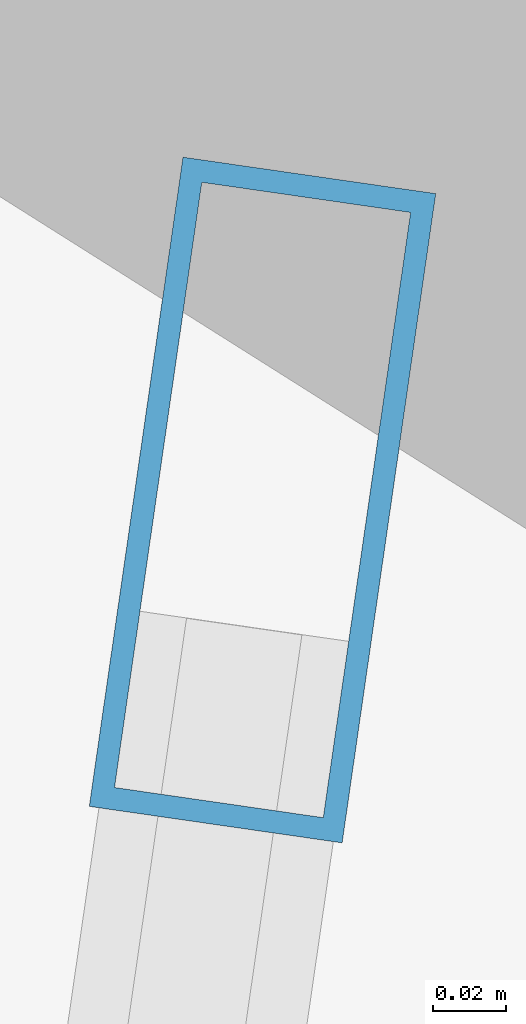
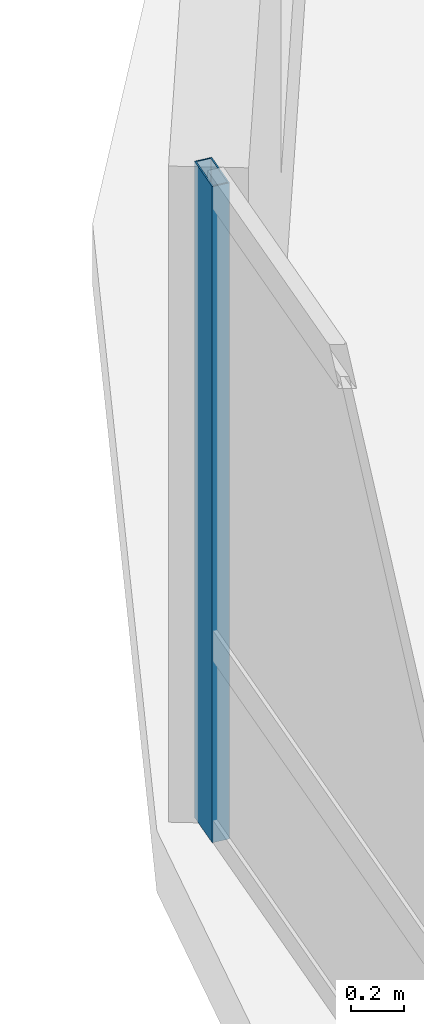
# One storey, part 6 of 16: 1 member, 1 element without a shape of its own.
"""IFC4 building model written with IfcOpenShell, lengths in metres."""

from ifc_helpers import new_model, si_unit, direction, frame, origin, origin_2d, place, context, subcontext, project, spatial, hollow_rectangle, extrude, material, layer, layer_set, material_profile, profile_set, type_object, element, aggregate, save


model = new_model("IFC4")

# Units and contexts
model_context = context("Model", 3, precision=1e-05, world=origin(), true_north=direction((0.0, 1.0)))
body_context = subcontext(model_context, "Body", "Model", "MODEL_VIEW")
ifc_project = project(units=[si_unit("LENGTHUNIT", "METRE"), si_unit("AREAUNIT", "SQUARE_METRE"), si_unit("VOLUMEUNIT", "CUBIC_METRE"), si_unit("PLANEANGLEUNIT", "RADIAN"), si_unit("MASSUNIT", "GRAM", prefix="KILO"), si_unit("THERMODYNAMICTEMPERATUREUNIT", "KELVIN"), si_unit("POWERUNIT", "WATT")], contexts=[model_context])

# Site, building, storey
site_placement = place(None, origin())
site = spatial("IfcSite", under=ifc_project, at=site_placement, CompositionType="ELEMENT")
building_placement = place(site_placement, origin())
building = spatial("IfcBuilding", under=site, at=building_placement, Name="Ocrelia Relay Tower", CompositionType="ELEMENT")
storey_placement = place(building_placement, frame((0.0, 0.0, 51.0)))
storey = spatial("IfcBuildingStorey", under=building, at=storey_placement, Name="L11", CompositionType="ELEMENT", Elevation=51.0)

# Curtain wall, member
ifc_material_1 = material(Name="Aluminium and solar-control low-E glass", Category="aluminium")
ifc_layer = layer(ifc_material_1, 0.179931640625, Name="Aluminium and solar-control low-E glass")
ifc_layer_set = layer_set([ifc_layer], Name="Aluminium and solar-control low-E glass")
curtain_wall_type = type_object("IfcCurtainWallType", Name="CW-SYS-Z1-DATA", PredefinedType="NOTDEFINED", material=ifc_layer_set)
curtain_wall_placement = place(storey_placement, origin())
curtain_wall = element("IfcCurtainWall", 1, at=curtain_wall_placement, inside=storey, type_object=curtain_wall_type, Name="L11 Elliptical Tower Curtain Wall Bay 09", PredefinedType="NOTDEFINED")
ifc_material_2 = material(Name="Anodised bronze aluminium", Category="aluminium")
ifc_material_profile = material_profile(ifc_material_2, hollow_rectangle(XDim=0.070068359375, YDim=0.179931640625, WallThickness=0.006103515625, at=origin_2d()), Name="CW-MUL-180x70")
ifc_profile_set = profile_set([ifc_material_profile], Name="Anodised bronze aluminium")
member_type = type_object("IfcMemberType", Name="CW-SYS-Z1-DATA-MUL", PredefinedType="MULLION", material=ifc_profile_set)
member_placement = place(storey_placement, frame((7.35791015625, 31.062255859375, 0.0), z_axis=(0.0, 0.0, 1.0), x_axis=(0.989751624474, -0.14279958631, 0.0)))
member = element("IfcMember", 2, at=member_placement, type_object=member_type, Name="CW-Z1 mullion 1", PredefinedType="MULLION", context=body_context, shape_type="SweptSolid", body=[
    extrude(hollow_rectangle(XDim=0.070068359375, YDim=0.179931640625, WallThickness=0.006103515625, at=origin_2d()), origin(), (0.0, 0.0, 1.0), 3.0),
])
aggregate(curtain_wall, [member])

save(model, "model.ifc")
